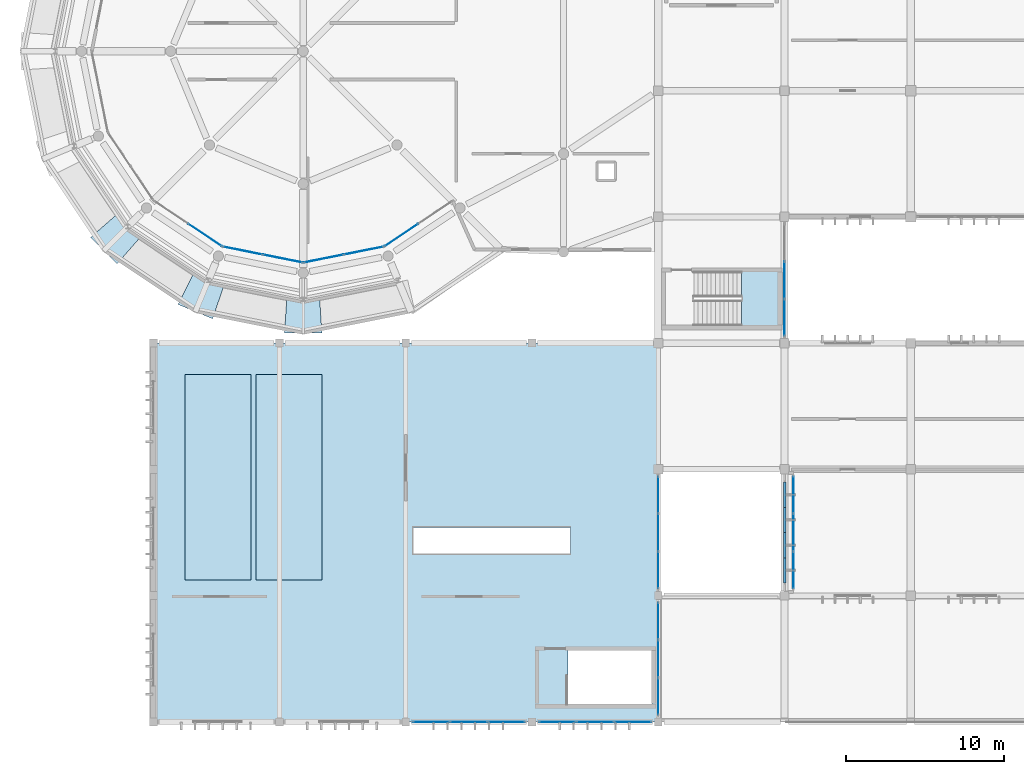
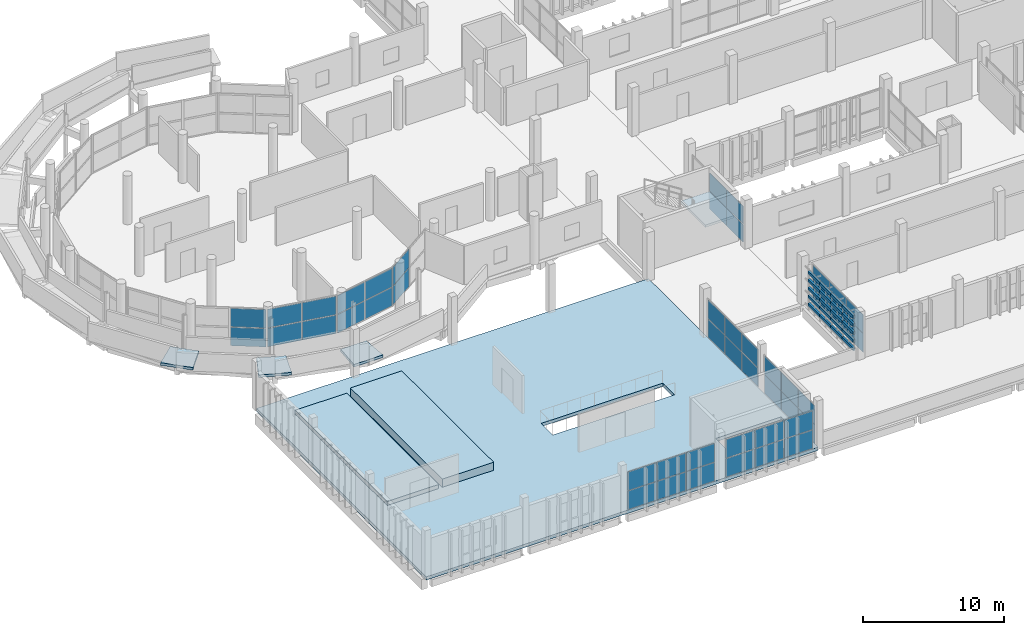
# One storey, part 90 of 137: 66 plates, 7 slabs, 12 elements without a shape of their own.
"""IFC4 building model written with IfcOpenShell, lengths in metres."""

import ifcopenshell
import ifcopenshell.guid

model = None  # the IFC model being written
_history = None  # IfcOwnerHistory: only IFC2X3 demands one
_inside = {}  # id of a spatial element -> (the spatial element, [elements in it])
_under = {}  # id of a project, library or spatial element -> (it, [spatial elements below it])
_declared = {}  # id of a project -> (the project, [libraries it declares])
_typed = {}  # id of a type object -> (the type object, [elements of that type])
_made_of = {}  # id of a material, layer set ... -> (it, [elements and type objects made of it])


def new_model(schema):
    """Start an empty IFC model of exactly this schema.

    Asked for "IFC4X3", IfcOpenShell would pick the latest addendum, in which some entities
    have other attributes; the version numbers below select the first issue.
    IFC2X3 requires an IfcOwnerHistory on every rooted entity: one is made here for all.
    """
    global model, _history
    if schema == "IFC4X3":
        model = ifcopenshell.file(schema_version=(4, 3, 0, 0))
    else:
        model = ifcopenshell.file(schema=schema)
    _inside.clear()
    _under.clear()
    _declared.clear()
    _typed.clear()
    _made_of.clear()
    _history = None
    if model.schema == "IFC2X3":
        org = make("IfcOrganization", Name="unknown")
        user = make(
            "IfcPersonAndOrganization",
            ThePerson=make("IfcPerson", FamilyName="unknown"),
            TheOrganization=org,
        )
        app = make(
            "IfcApplication",
            ApplicationDeveloper=org,
            Version="unknown",
            ApplicationFullName="unknown",
            ApplicationIdentifier="unknown",
        )
        _history = make(
            "IfcOwnerHistory",
            OwningUser=user,
            OwningApplication=app,
            ChangeAction="ADDED",
            CreationDate=0,
        )
    return model


def make(cls, **values):
    """One entity of the class cls with the attributes given. An attribute that is None is left unset."""
    return model.create_entity(
        cls, **{name: value for name, value in values.items() if value is not None}
    )


def rooted(cls, **values):
    """An entity with a GlobalId (a new one), such as an element, a storey or a relation."""
    return make(cls, GlobalId=ifcopenshell.guid.new(), OwnerHistory=_history, **values)


def si_unit(unit_type, name, prefix=None):
    """IfcSIUnit, for example si_unit("LENGTHUNIT", "METRE", prefix="MILLI")."""
    return make("IfcSIUnit", UnitType=unit_type, Prefix=prefix, Name=name)


def assignment(units):
    """IfcUnitAssignment: the units of a project."""
    return None if units is None else make("IfcUnitAssignment", Units=units)


def point(xyz):
    """IfcCartesianPoint."""
    return None if xyz is None else make("IfcCartesianPoint", Coordinates=xyz)


def direction(xyz):
    """IfcDirection."""
    return None if xyz is None else make("IfcDirection", DirectionRatios=xyz)


def frame(location, z_axis=None, x_axis=None):
    """IfcAxis2Placement3D, a coordinate frame: its origin and axes. An axis left out is left unset."""
    return make(
        "IfcAxis2Placement3D",
        Location=point(location),
        Axis=direction(z_axis),
        RefDirection=direction(x_axis),
    )


def frame_2d(location, x_axis=None):
    """IfcAxis2Placement2D, a coordinate frame in the plane: its origin and x axis."""
    return make(
        "IfcAxis2Placement2D", Location=point(location), RefDirection=direction(x_axis)
    )


def origin():
    """The frame at (0, 0, 0) with its axes left unset."""
    return frame((0.0, 0.0, 0.0))


def origin_2d():
    """The frame at (0, 0) in the plane with its x axis left unset."""
    return frame_2d((0.0, 0.0))


def place(relative_to, where):
    """IfcLocalPlacement: puts the frame where relative to a parent placement (None: the world)."""
    return make(
        "IfcLocalPlacement", PlacementRelTo=relative_to, RelativePlacement=where
    )


def context(
    kind, dimensions, precision=None, world=None, true_north=None, identifier=None
):
    """IfcGeometricRepresentationContext, for example the 3D "Model" context."""
    return make(
        "IfcGeometricRepresentationContext",
        ContextIdentifier=identifier,
        ContextType=kind,
        CoordinateSpaceDimension=dimensions,
        Precision=precision,
        WorldCoordinateSystem=world,
        TrueNorth=true_north,
    )


def subcontext(parent, identifier, kind, view, scale=None):
    """IfcGeometricRepresentationSubContext, for example "Body" below "Model"."""
    return make(
        "IfcGeometricRepresentationSubContext",
        ContextIdentifier=identifier,
        ContextType=kind,
        ParentContext=parent,
        TargetScale=scale,
        TargetView=view,
    )


def project(units=None, contexts=None):
    """IfcProject with its units and contexts."""
    return rooted(
        "IfcProject",
        Name="project",
        RepresentationContexts=contexts,
        UnitsInContext=assignment(units),
    )


def spatial(cls, under=None, at=None, **own):
    """A site, building, storey or space (cls), placed at a placement, below another one or the project."""
    s = rooted(cls, ObjectPlacement=at, **own)
    if under is not None:
        _under.setdefault(under.id(), (under, []))[1].append(s)
    return s


def polyline(points):
    """IfcPolyline through the points."""
    return make("IfcPolyline", Points=[point(p) for p in points])


def profile(cls, at=None, kind="AREA", **sizes):
    """A parametric profile (cls). Its sizes go by their IFC names, for example OverallWidth=200.0."""
    return make(cls, ProfileType=kind, Position=at, **sizes)


def rectangle(**sizes):
    """IfcRectangleProfileDef."""
    return profile("IfcRectangleProfileDef", **sizes)


def outline(outer, holes=None, kind="AREA"):
    """IfcArbitraryClosedProfileDef: a profile drawn as a closed curve; with holes, ...WithVoids."""
    if holes is None:
        return make("IfcArbitraryClosedProfileDef", ProfileType=kind, OuterCurve=outer)
    return make(
        "IfcArbitraryProfileDefWithVoids",
        ProfileType=kind,
        OuterCurve=outer,
        InnerCurves=holes,
    )


def extrude(swept, where, along, depth):
    """IfcExtrudedAreaSolid: the profile swept, set in the frame where, extruded along a direction by depth."""
    return make(
        "IfcExtrudedAreaSolid",
        SweptArea=swept,
        Position=where,
        ExtrudedDirection=direction(along),
        Depth=depth,
    )


def shape(context_of_items, identifier, shape_type, items):
    """IfcShapeRepresentation: the items that make up one representation, for example the "Body"."""
    return make(
        "IfcShapeRepresentation",
        ContextOfItems=context_of_items,
        RepresentationIdentifier=identifier,
        RepresentationType=shape_type,
        Items=items,
    )


def material(Name=None, Category=None):
    """IfcMaterial."""
    return make("IfcMaterial", Name=Name, Category=Category)


def layer(
    of_material, thickness, ventilated=None, Name=None, Category=None, Priority=None
):
    """IfcMaterialLayer: one layer of a wall or slab, of a material (None: an air gap)."""
    return make(
        "IfcMaterialLayer",
        Material=of_material,
        LayerThickness=thickness,
        IsVentilated=ventilated,
        Name=Name,
        Category=Category,
        Priority=Priority,
    )


def layer_set(layers, Name=None):
    """IfcMaterialLayerSet."""
    return make("IfcMaterialLayerSet", MaterialLayers=layers, LayerSetName=Name)


def made_of(thing, what):
    """Note that an element or type object is made of a material, layer set ...; save() writes the relation."""
    if what is not None:
        _made_of.setdefault(what.id(), (what, []))[1].append(thing)
    return thing


def type_object(cls, material=None, **own):
    """A type object (cls), such as IfcWallType, which elements share."""
    return made_of(rooted(cls, **own), material)


def element(
    cls,
    number,
    at=None,
    inside=None,
    cuts=None,
    type_object=None,
    material=None,
    context=None,
    identifier="Body",
    shape_type=None,
    held_by="IfcProductDefinitionShape",
    body=None,
    shapes=None,
    **own,
):
    """One element of the class cls, such as IfcWall. Its Tag is "e" and its number.

    at: its placement. inside: the storey or other place that contains it. cuts: it is an
    opening in that element (IfcRelVoidsElement). A single representation is given by context,
    identifier, shape_type and body (its items); several are given by shapes. held_by: the class
    of the entity that holds the representations. save() writes the other relations.
    """
    e = rooted(cls, Tag="e%d" % number, ObjectPlacement=at, **own)
    if body is not None:
        shapes = [shape(context, identifier, shape_type, body)]
    if shapes is not None:
        e.Representation = make(held_by, Representations=shapes)
    if inside is not None:
        _inside.setdefault(inside.id(), (inside, []))[1].append(e)
    if cuts is not None:
        rooted(
            "IfcRelVoidsElement", RelatingBuildingElement=cuts, RelatedOpeningElement=e
        )
    if type_object is not None:
        _typed.setdefault(type_object.id(), (type_object, []))[1].append(e)
    return made_of(e, material)


def aggregate(whole, parts):
    """IfcRelAggregates: a whole, such as a stair, and the parts it consists of."""
    return rooted("IfcRelAggregates", RelatingObject=whole, RelatedObjects=parts)


def save(model, path):
    """Write the relations noted so far, then the file.

    IfcRelAggregates (storeys below a building ...), IfcRelContainedInSpatialStructure (elements
    in a storey), IfcRelDefinesByType, IfcRelAssociatesMaterial and IfcRelDeclares: one each for
    every whole, place, type object, material and project.
    """
    for whole, parts in _under.values():
        aggregate(whole, parts)
    for where, things in _inside.values():
        rooted(
            "IfcRelContainedInSpatialStructure",
            RelatedElements=things,
            RelatingStructure=where,
        )
    for kind, things in _typed.values():
        rooted("IfcRelDefinesByType", RelatedObjects=things, RelatingType=kind)
    for what, things in _made_of.values():
        rooted("IfcRelAssociatesMaterial", RelatedObjects=things, RelatingMaterial=what)
    for by, libraries in _declared.values():
        rooted("IfcRelDeclares", RelatingContext=by, RelatedDefinitions=libraries)
    model.write(path)


model = new_model("IFC4")

# Units and contexts
model_context = context("Model", 3, precision=1e-05, world=origin(), true_north=direction((0.0, 1.0)))
body_context = subcontext(model_context, "Body", "Model", "MODEL_VIEW")
ifc_project = project(units=[si_unit("LENGTHUNIT", "METRE"), si_unit("AREAUNIT", "SQUARE_METRE"), si_unit("VOLUMEUNIT", "CUBIC_METRE"), si_unit("PLANEANGLEUNIT", "RADIAN"), si_unit("MASSUNIT", "GRAM", prefix="KILO")], contexts=[model_context])

# Site, building, storey
site_placement = place(None, origin())
site = spatial("IfcSite", under=ifc_project, at=site_placement, CompositionType="ELEMENT")
building_placement = place(site_placement, origin())
building = spatial("IfcBuilding", under=site, at=building_placement, Name="Jelvoka-Kovrelna Polytechnic", CompositionType="ELEMENT")
storey_placement = place(building_placement, frame((0.0, 0.0, 9.60009765625)))
storey = spatial("IfcBuildingStorey", under=building, at=storey_placement, Name="L03", CompositionType="ELEMENT", Elevation=9.60009765625)

# Curtain wall, plates
ifc_material_1 = material(Name="Anodised aluminium 6063-T6", Category="aluminium")
ifc_layer_1 = layer(ifc_material_1, 0.159912109375)
ifc_layer_set_1 = layer_set([ifc_layer_1], Name="Anodised aluminium 6063-T6")
curtain_wall_type_1 = type_object("IfcCurtainWallType", Name="CW_Recessed_A", PredefinedType="NOTDEFINED", material=ifc_layer_set_1)
curtain_wall_1_placement = place(storey_placement, origin())
curtain_wall_1 = element("IfcCurtainWall", 1, at=curtain_wall_1_placement, inside=storey, type_object=curtain_wall_type_1, Name="L03 glazed curtain wall 003", PredefinedType="NOTDEFINED")
ifc_material_2 = material(Name="Solar-control double glazing", Category="glass")
ifc_layer_2 = layer(ifc_material_2, 0.028076171875)
ifc_layer_set_2 = layer_set([ifc_layer_2], Name="Solar-control double glazing")
plate_type_1 = type_object("IfcPlateType", Name="Panel_GP-01", PredefinedType="CURTAIN_PANEL", material=ifc_layer_set_2)
plate_1_placement = place(storey_placement, frame((56.56005859375, 9.614990234375, 0.0517578125), z_axis=(0.0, 0.0, 1.0), x_axis=(0.0, 1.0, 0.0)))
plate_1 = element("IfcPlate", 2, at=plate_1_placement, type_object=plate_type_1, Name="CW-01 panel 1.1", PredefinedType="CURTAIN_PANEL", context=body_context, shape_type="SweptSolid", body=[
    extrude(rectangle(XDim=2.326171875, YDim=0.028076171875, at=origin_2d()), origin(), (0.0, 0.0, 1.0), 1.60107421875),
])
plate_2_placement = place(storey_placement, frame((56.56005859375, 9.614990234375, 1.69677734375), z_axis=(0.0, 0.0, 1.0), x_axis=(0.0, 1.0, 0.0)))
plate_2 = element("IfcPlate", 3, at=plate_2_placement, type_object=plate_type_1, Name="CW-01 panel 1.2", PredefinedType="CURTAIN_PANEL", context=body_context, shape_type="SweptSolid", body=[
    extrude(rectangle(XDim=2.326171875, YDim=0.028076171875, at=origin_2d()), origin(), (0.0, 0.0, 1.0), 1.60107421875),
])
plate_3_placement = place(storey_placement, frame((56.56005859375, 12.0, 0.0517578125), z_axis=(0.0, 0.0, 1.0), x_axis=(0.0, 1.0, 0.0)))
plate_3 = element("IfcPlate", 4, at=plate_3_placement, type_object=plate_type_1, Name="CW-01 panel 2.1", PredefinedType="CURTAIN_PANEL", context=body_context, shape_type="SweptSolid", body=[
    extrude(rectangle(XDim=2.356201171875, YDim=0.028076171875, at=origin_2d()), origin(), (0.0, 0.0, 1.0), 1.60107421875),
])
plate_4_placement = place(storey_placement, frame((56.56005859375, 12.0, 1.69677734375), z_axis=(0.0, 0.0, 1.0), x_axis=(0.0, 1.0, 0.0)))
plate_4 = element("IfcPlate", 5, at=plate_4_placement, type_object=plate_type_1, Name="CW-01 panel 2.2", PredefinedType="CURTAIN_PANEL", context=body_context, shape_type="SweptSolid", body=[
    extrude(rectangle(XDim=2.356201171875, YDim=0.028076171875, at=origin_2d()), origin(), (0.0, 0.0, 1.0), 1.60107421875),
])
plate_5_placement = place(storey_placement, frame((56.56005859375, 14.385009765625, 0.0517578125), z_axis=(0.0, 0.0, 1.0), x_axis=(0.0, 1.0, 0.0)))
plate_5 = element("IfcPlate", 6, at=plate_5_placement, type_object=plate_type_1, Name="CW-01 panel 3.1", PredefinedType="CURTAIN_PANEL", context=body_context, shape_type="SweptSolid", body=[
    extrude(rectangle(XDim=2.326171875, YDim=0.028076171875, at=origin_2d()), origin(), (0.0, 0.0, 1.0), 1.60107421875),
])
plate_6_placement = place(storey_placement, frame((56.56005859375, 14.385009765625, 1.69677734375), z_axis=(0.0, 0.0, 1.0), x_axis=(0.0, 1.0, 0.0)))
plate_6 = element("IfcPlate", 7, at=plate_6_placement, type_object=plate_type_1, Name="CW-01 panel 3.2", PredefinedType="CURTAIN_PANEL", context=body_context, shape_type="SweptSolid", body=[
    extrude(rectangle(XDim=2.326171875, YDim=0.028076171875, at=origin_2d()), origin(), (0.0, 0.0, 1.0), 1.60107421875),
])
aggregate(curtain_wall_1, [plate_1, plate_2, plate_3, plate_4, plate_5, plate_6])

ifc_material_3 = material(Name="Anodised aluminium 6063-T6", Category="aluminium")
ifc_layer_3 = layer(ifc_material_3, 0.179931640625)
ifc_layer_set_3 = layer_set([ifc_layer_3], Name="Anodised aluminium 6063-T6")
curtain_wall_type_2 = type_object("IfcCurtainWallType", Name="CW_Pavilion", PredefinedType="NOTDEFINED", material=ifc_layer_set_3)
curtain_wall_2_placement = place(storey_placement, origin())
curtain_wall_2 = element("IfcCurtainWall", 8, at=curtain_wall_2_placement, inside=storey, type_object=curtain_wall_type_2, Name="L03 glazed curtain wall 128", PredefinedType="NOTDEFINED")
ifc_material_4 = material(Name="Solar-control double glazing", Category="glass")
ifc_layer_4 = layer(ifc_material_4, 0.030029296875)
ifc_layer_set_4 = layer_set([ifc_layer_4], Name="Solar-control double glazing")
plate_type_2 = type_object("IfcPlateType", Name="Panel_GP-05", PredefinedType="CURTAIN_PANEL", material=ifc_layer_set_4)
plate_7_placement = place(storey_placement, frame((56.0, 28.0, 0.056884765625), z_axis=(0.0, 0.0, 1.0), x_axis=(0.0, -1.0, 0.0)))
plate_7 = element("IfcPlate", 9, at=plate_7_placement, type_object=plate_type_2, Name="CW-05 panel 2.1", PredefinedType="CURTAIN_PANEL", context=body_context, shape_type="SweptSolid", body=[
    extrude(rectangle(XDim=2.35107421875, YDim=0.030029296875, at=origin_2d()), origin(), (0.0, 0.0, 1.0), 1.531005859375),
])
plate_8_placement = place(storey_placement, frame((56.0, 28.0, 1.636962890625), z_axis=(0.0, 0.0, 1.0), x_axis=(0.0, -1.0, 0.0)))
plate_8 = element("IfcPlate", 10, at=plate_8_placement, type_object=plate_type_2, Name="CW-05 panel 2.2", PredefinedType="CURTAIN_PANEL", context=body_context, shape_type="SweptSolid", body=[
    extrude(rectangle(XDim=2.35107421875, YDim=0.030029296875, at=origin_2d()), origin(), (0.0, 0.0, 1.0), 1.531005859375),
])
plate_9_placement = place(storey_placement, frame((56.0, 25.6162109375, 0.056884765625), z_axis=(0.0, 0.0, 1.0), x_axis=(0.0, -1.0, 0.0)))
plate_9 = element("IfcPlate", 11, at=plate_9_placement, type_object=plate_type_2, Name="CW-05 panel 3.1", PredefinedType="CURTAIN_PANEL", context=body_context, shape_type="SweptSolid", body=[
    extrude(rectangle(XDim=2.318603515625, YDim=0.030029296875, at=origin_2d()), origin(), (0.0, 0.0, 1.0), 1.531005859375),
])
plate_10_placement = place(storey_placement, frame((56.0, 25.6162109375, 1.636962890625), z_axis=(0.0, 0.0, 1.0), x_axis=(0.0, -1.0, 0.0)))
plate_10 = element("IfcPlate", 12, at=plate_10_placement, type_object=plate_type_2, Name="CW-05 panel 3.2", PredefinedType="CURTAIN_PANEL", context=body_context, shape_type="SweptSolid", body=[
    extrude(rectangle(XDim=2.318603515625, YDim=0.030029296875, at=origin_2d()), origin(), (0.0, 0.0, 1.0), 1.531005859375),
])
aggregate(curtain_wall_2, [plate_7, plate_8, plate_9, plate_10])

curtain_wall_3_placement = place(storey_placement, origin())
curtain_wall_3 = element("IfcCurtainWall", 13, at=curtain_wall_3_placement, inside=storey, type_object=curtain_wall_type_2, Name="L03 glazed curtain wall 240", PredefinedType="NOTDEFINED")
plate_11_placement = place(storey_placement, frame((19.271728515625, 30.855224609375, 0.056884765625), z_axis=(0.0, 0.0, 1.0), x_axis=(-0.83146132254, 0.555582639326, 0.0)))
plate_11 = element("IfcPlate", 14, at=plate_11_placement, type_object=plate_type_2, Name="CW-05 panel 1.1", PredefinedType="CURTAIN_PANEL", context=body_context, shape_type="SweptSolid", body=[
    extrude(rectangle(XDim=2.53271484375, YDim=0.030029296875, at=origin_2d()), origin(), (0.0, 0.0, 1.0), 1.593505859375),
])
plate_12_placement = place(storey_placement, frame((19.271728515625, 30.855224609375, 1.699462890625), z_axis=(0.0, 0.0, 1.0), x_axis=(-0.83146132254, 0.555582639326, 0.0)))
plate_12 = element("IfcPlate", 15, at=plate_12_placement, type_object=plate_type_2, Name="CW-05 panel 1.2", PredefinedType="CURTAIN_PANEL", context=body_context, shape_type="SweptSolid", body=[
    extrude(rectangle(XDim=2.53271484375, YDim=0.030029296875, at=origin_2d()), origin(), (0.0, 0.0, 1.0), 1.593505859375),
])
aggregate(curtain_wall_3, [plate_11, plate_12])

curtain_wall_4_placement = place(storey_placement, origin())
curtain_wall_4 = element("IfcCurtainWall", 16, at=curtain_wall_4_placement, inside=storey, type_object=curtain_wall_type_2, Name="L03 glazed curtain wall 241", PredefinedType="NOTDEFINED")
plate_13_placement = place(storey_placement, frame((24.2021484375, 29.358154296875, 0.056884765625), z_axis=(0.0, 0.0, 1.0), x_axis=(-0.980786108197, 0.195086160371, 0.0)))
plate_13 = element("IfcPlate", 17, at=plate_13_placement, type_object=plate_type_2, Name="CW-05 panel 1.1", PredefinedType="CURTAIN_PANEL", context=body_context, shape_type="SweptSolid", body=[
    extrude(rectangle(XDim=2.532958984375, YDim=0.030029296875, at=origin_2d()), origin(), (0.0, 0.0, 1.0), 1.593505859375),
])
plate_14_placement = place(storey_placement, frame((24.2021484375, 29.358154296875, 1.699462890625), z_axis=(0.0, 0.0, 1.0), x_axis=(-0.980786108197, 0.195086160371, 0.0)))
plate_14 = element("IfcPlate", 18, at=plate_14_placement, type_object=plate_type_2, Name="CW-05 panel 1.2", PredefinedType="CURTAIN_PANEL", context=body_context, shape_type="SweptSolid", body=[
    extrude(rectangle(XDim=2.532958984375, YDim=0.030029296875, at=origin_2d()), origin(), (0.0, 0.0, 1.0), 1.593505859375),
])
plate_15_placement = place(storey_placement, frame((21.669921875, 29.86181640625, 0.056884765625), z_axis=(0.0, 0.0, 1.0), x_axis=(-0.980786108197, 0.195086160371, 0.0)))
plate_15 = element("IfcPlate", 19, at=plate_15_placement, type_object=plate_type_2, Name="CW-05 panel 2.1", PredefinedType="CURTAIN_PANEL", context=body_context, shape_type="SweptSolid", body=[
    extrude(rectangle(XDim=2.532958984375, YDim=0.030029296875, at=origin_2d()), origin(), (0.0, 0.0, 1.0), 1.593505859375),
])
plate_16_placement = place(storey_placement, frame((21.669921875, 29.86181640625, 1.699462890625), z_axis=(0.0, 0.0, 1.0), x_axis=(-0.980786108197, 0.195086160371, 0.0)))
plate_16 = element("IfcPlate", 20, at=plate_16_placement, type_object=plate_type_2, Name="CW-05 panel 2.2", PredefinedType="CURTAIN_PANEL", context=body_context, shape_type="SweptSolid", body=[
    extrude(rectangle(XDim=2.532958984375, YDim=0.030029296875, at=origin_2d()), origin(), (0.0, 0.0, 1.0), 1.593505859375),
])
aggregate(curtain_wall_4, [plate_13, plate_14, plate_15, plate_16])

curtain_wall_5_placement = place(storey_placement, origin())
curtain_wall_5 = element("IfcCurtainWall", 21, at=curtain_wall_5_placement, inside=storey, type_object=curtain_wall_type_2, Name="L03 glazed curtain wall 242", PredefinedType="NOTDEFINED")
plate_17_placement = place(storey_placement, frame((29.330078125, 29.86181640625, 0.056884765625), z_axis=(0.0, 0.0, 1.0), x_axis=(-0.980786108197, -0.195086160371, 0.0)))
plate_17 = element("IfcPlate", 22, at=plate_17_placement, type_object=plate_type_2, Name="CW-05 panel 1.1", PredefinedType="CURTAIN_PANEL", context=body_context, shape_type="SweptSolid", body=[
    extrude(rectangle(XDim=2.532958984375, YDim=0.030029296875, at=origin_2d()), origin(), (0.0, 0.0, 1.0), 1.593505859375),
])
plate_18_placement = place(storey_placement, frame((29.330078125, 29.86181640625, 1.699462890625), z_axis=(0.0, 0.0, 1.0), x_axis=(-0.980786108197, -0.195086160371, 0.0)))
plate_18 = element("IfcPlate", 23, at=plate_18_placement, type_object=plate_type_2, Name="CW-05 panel 1.2", PredefinedType="CURTAIN_PANEL", context=body_context, shape_type="SweptSolid", body=[
    extrude(rectangle(XDim=2.532958984375, YDim=0.030029296875, at=origin_2d()), origin(), (0.0, 0.0, 1.0), 1.593505859375),
])
plate_19_placement = place(storey_placement, frame((26.7978515625, 29.358154296875, 0.056884765625), z_axis=(0.0, 0.0, 1.0), x_axis=(-0.980786108197, -0.195086160371, 0.0)))
plate_19 = element("IfcPlate", 24, at=plate_19_placement, type_object=plate_type_2, Name="CW-05 panel 2.1", PredefinedType="CURTAIN_PANEL", context=body_context, shape_type="SweptSolid", body=[
    extrude(rectangle(XDim=2.532958984375, YDim=0.030029296875, at=origin_2d()), origin(), (0.0, 0.0, 1.0), 1.593505859375),
])
plate_20_placement = place(storey_placement, frame((26.7978515625, 29.358154296875, 1.699462890625), z_axis=(0.0, 0.0, 1.0), x_axis=(-0.980786108197, -0.195086160371, 0.0)))
plate_20 = element("IfcPlate", 25, at=plate_20_placement, type_object=plate_type_2, Name="CW-05 panel 2.2", PredefinedType="CURTAIN_PANEL", context=body_context, shape_type="SweptSolid", body=[
    extrude(rectangle(XDim=2.532958984375, YDim=0.030029296875, at=origin_2d()), origin(), (0.0, 0.0, 1.0), 1.593505859375),
])
aggregate(curtain_wall_5, [plate_17, plate_18, plate_19, plate_20])

curtain_wall_6_placement = place(storey_placement, origin())
curtain_wall_6 = element("IfcCurtainWall", 26, at=curtain_wall_6_placement, inside=storey, type_object=curtain_wall_type_2, Name="L03 glazed curtain wall 243", PredefinedType="NOTDEFINED")
plate_21_placement = place(storey_placement, frame((31.728271484375, 30.855224609375, 0.056884765625), z_axis=(0.0, 0.0, 1.0), x_axis=(-0.83146132254, -0.555582639326, 0.0)))
plate_21 = element("IfcPlate", 27, at=plate_21_placement, type_object=plate_type_2, Name="CW-05 panel 2.1", PredefinedType="CURTAIN_PANEL", context=body_context, shape_type="SweptSolid", body=[
    extrude(rectangle(XDim=2.53271484375, YDim=0.030029296875, at=origin_2d()), origin(), (0.0, 0.0, 1.0), 1.593505859375),
])
plate_22_placement = place(storey_placement, frame((31.728271484375, 30.855224609375, 1.699462890625), z_axis=(0.0, 0.0, 1.0), x_axis=(-0.83146132254, -0.555582639326, 0.0)))
plate_22 = element("IfcPlate", 28, at=plate_22_placement, type_object=plate_type_2, Name="CW-05 panel 2.2", PredefinedType="CURTAIN_PANEL", context=body_context, shape_type="SweptSolid", body=[
    extrude(rectangle(XDim=2.53271484375, YDim=0.030029296875, at=origin_2d()), origin(), (0.0, 0.0, 1.0), 1.593505859375),
])
aggregate(curtain_wall_6, [plate_21, plate_22])

curtain_wall_7_placement = place(storey_placement, origin())
curtain_wall_7 = element("IfcCurtainWall", 29, at=curtain_wall_7_placement, inside=storey, type_object=curtain_wall_type_2, Name="L03 glazed curtain wall 286", PredefinedType="NOTDEFINED")
plate_23_placement = place(storey_placement, frame((38.3837890625, 0.0, 0.056884765625), z_axis=(0.0, 0.0, 1.0), x_axis=(-1.0, 0.0, 0.0)))
plate_23 = element("IfcPlate", 30, at=plate_23_placement, type_object=plate_type_2, Name="CW-05 panel 1.1", PredefinedType="CURTAIN_PANEL", context=body_context, shape_type="SweptSolid", body=[
    extrude(rectangle(XDim=2.318603515625, YDim=0.030029296875, at=origin_2d()), origin(), (0.0, 0.0, 1.0), 1.593505859375),
])
plate_24_placement = place(storey_placement, frame((38.3837890625, 0.0, 1.699462890625), z_axis=(0.0, 0.0, 1.0), x_axis=(-1.0, 0.0, 0.0)))
plate_24 = element("IfcPlate", 31, at=plate_24_placement, type_object=plate_type_2, Name="CW-05 panel 1.2", PredefinedType="CURTAIN_PANEL", context=body_context, shape_type="SweptSolid", body=[
    extrude(rectangle(XDim=2.318603515625, YDim=0.030029296875, at=origin_2d()), origin(), (0.0, 0.0, 1.0), 1.593505859375),
])
plate_25_placement = place(storey_placement, frame((36.0, 0.0, 0.056884765625), z_axis=(0.0, 0.0, 1.0), x_axis=(-1.0, 0.0, 0.0)))
plate_25 = element("IfcPlate", 32, at=plate_25_placement, type_object=plate_type_2, Name="CW-05 panel 2.1", PredefinedType="CURTAIN_PANEL", context=body_context, shape_type="SweptSolid", body=[
    extrude(rectangle(XDim=2.35107421875, YDim=0.030029296875, at=origin_2d()), origin(), (0.0, 0.0, 1.0), 1.593505859375),
])
plate_26_placement = place(storey_placement, frame((36.0, 0.0, 1.699462890625), z_axis=(0.0, 0.0, 1.0), x_axis=(-1.0, 0.0, 0.0)))
plate_26 = element("IfcPlate", 33, at=plate_26_placement, type_object=plate_type_2, Name="CW-05 panel 2.2", PredefinedType="CURTAIN_PANEL", context=body_context, shape_type="SweptSolid", body=[
    extrude(rectangle(XDim=2.35107421875, YDim=0.030029296875, at=origin_2d()), origin(), (0.0, 0.0, 1.0), 1.593505859375),
])
plate_27_placement = place(storey_placement, frame((33.6162109375, 0.0, 0.056884765625), z_axis=(0.0, 0.0, 1.0), x_axis=(-1.0, 0.0, 0.0)))
plate_27 = element("IfcPlate", 34, at=plate_27_placement, type_object=plate_type_2, Name="CW-05 panel 3.1", PredefinedType="CURTAIN_PANEL", context=body_context, shape_type="SweptSolid", body=[
    extrude(rectangle(XDim=2.318603515625, YDim=0.030029296875, at=origin_2d()), origin(), (0.0, 0.0, 1.0), 1.593505859375),
])
plate_28_placement = place(storey_placement, frame((33.6162109375, 0.0, 1.699462890625), z_axis=(0.0, 0.0, 1.0), x_axis=(-1.0, 0.0, 0.0)))
plate_28 = element("IfcPlate", 35, at=plate_28_placement, type_object=plate_type_2, Name="CW-05 panel 3.2", PredefinedType="CURTAIN_PANEL", context=body_context, shape_type="SweptSolid", body=[
    extrude(rectangle(XDim=2.318603515625, YDim=0.030029296875, at=origin_2d()), origin(), (0.0, 0.0, 1.0), 1.593505859375),
])
aggregate(curtain_wall_7, [plate_23, plate_24, plate_25, plate_26, plate_27, plate_28])

curtain_wall_8_placement = place(storey_placement, origin())
curtain_wall_8 = element("IfcCurtainWall", 36, at=curtain_wall_8_placement, inside=storey, type_object=curtain_wall_type_2, Name="L03 glazed curtain wall 287", PredefinedType="NOTDEFINED")
plate_29_placement = place(storey_placement, frame((46.3837890625, 0.0, 0.056884765625), z_axis=(0.0, 0.0, 1.0), x_axis=(-1.0, 0.0, 0.0)))
plate_29 = element("IfcPlate", 37, at=plate_29_placement, type_object=plate_type_2, Name="CW-05 panel 1.1", PredefinedType="CURTAIN_PANEL", context=body_context, shape_type="SweptSolid", body=[
    extrude(rectangle(XDim=2.318603515625, YDim=0.030029296875, at=origin_2d()), origin(), (0.0, 0.0, 1.0), 1.593505859375),
])
plate_30_placement = place(storey_placement, frame((46.3837890625, 0.0, 1.699462890625), z_axis=(0.0, 0.0, 1.0), x_axis=(-1.0, 0.0, 0.0)))
plate_30 = element("IfcPlate", 38, at=plate_30_placement, type_object=plate_type_2, Name="CW-05 panel 1.2", PredefinedType="CURTAIN_PANEL", context=body_context, shape_type="SweptSolid", body=[
    extrude(rectangle(XDim=2.318603515625, YDim=0.030029296875, at=origin_2d()), origin(), (0.0, 0.0, 1.0), 1.593505859375),
])
plate_31_placement = place(storey_placement, frame((44.0, 0.0, 0.056884765625), z_axis=(0.0, 0.0, 1.0), x_axis=(-1.0, 0.0, 0.0)))
plate_31 = element("IfcPlate", 39, at=plate_31_placement, type_object=plate_type_2, Name="CW-05 panel 2.1", PredefinedType="CURTAIN_PANEL", context=body_context, shape_type="SweptSolid", body=[
    extrude(rectangle(XDim=2.35107421875, YDim=0.030029296875, at=origin_2d()), origin(), (0.0, 0.0, 1.0), 1.593505859375),
])
plate_32_placement = place(storey_placement, frame((44.0, 0.0, 1.699462890625), z_axis=(0.0, 0.0, 1.0), x_axis=(-1.0, 0.0, 0.0)))
plate_32 = element("IfcPlate", 40, at=plate_32_placement, type_object=plate_type_2, Name="CW-05 panel 2.2", PredefinedType="CURTAIN_PANEL", context=body_context, shape_type="SweptSolid", body=[
    extrude(rectangle(XDim=2.35107421875, YDim=0.030029296875, at=origin_2d()), origin(), (0.0, 0.0, 1.0), 1.593505859375),
])
plate_33_placement = place(storey_placement, frame((41.6162109375, 0.0, 0.056884765625), z_axis=(0.0, 0.0, 1.0), x_axis=(-1.0, 0.0, 0.0)))
plate_33 = element("IfcPlate", 41, at=plate_33_placement, type_object=plate_type_2, Name="CW-05 panel 3.1", PredefinedType="CURTAIN_PANEL", context=body_context, shape_type="SweptSolid", body=[
    extrude(rectangle(XDim=2.318603515625, YDim=0.030029296875, at=origin_2d()), origin(), (0.0, 0.0, 1.0), 1.593505859375),
])
plate_34_placement = place(storey_placement, frame((41.6162109375, 0.0, 1.699462890625), z_axis=(0.0, 0.0, 1.0), x_axis=(-1.0, 0.0, 0.0)))
plate_34 = element("IfcPlate", 42, at=plate_34_placement, type_object=plate_type_2, Name="CW-05 panel 3.2", PredefinedType="CURTAIN_PANEL", context=body_context, shape_type="SweptSolid", body=[
    extrude(rectangle(XDim=2.318603515625, YDim=0.030029296875, at=origin_2d()), origin(), (0.0, 0.0, 1.0), 1.593505859375),
])
aggregate(curtain_wall_8, [plate_29, plate_30, plate_31, plate_32, plate_33, plate_34])

curtain_wall_9_placement = place(storey_placement, origin())
curtain_wall_9 = element("IfcCurtainWall", 43, at=curtain_wall_9_placement, inside=storey, type_object=curtain_wall_type_2, Name="L03 glazed curtain wall 288", PredefinedType="NOTDEFINED")
plate_35_placement = place(storey_placement, frame((48.0, 6.3837890625, 0.056884765625), z_axis=(0.0, 0.0, 1.0), x_axis=(0.0, -1.0, 0.0)))
plate_35 = element("IfcPlate", 44, at=plate_35_placement, type_object=plate_type_2, Name="CW-05 panel 1.1", PredefinedType="CURTAIN_PANEL", context=body_context, shape_type="SweptSolid", body=[
    extrude(rectangle(XDim=2.318603515625, YDim=0.030029296875, at=origin_2d()), origin(), (0.0, 0.0, 1.0), 1.593505859375),
])
plate_36_placement = place(storey_placement, frame((48.0, 6.3837890625, 1.699462890625), z_axis=(0.0, 0.0, 1.0), x_axis=(0.0, -1.0, 0.0)))
plate_36 = element("IfcPlate", 45, at=plate_36_placement, type_object=plate_type_2, Name="CW-05 panel 1.2", PredefinedType="CURTAIN_PANEL", context=body_context, shape_type="SweptSolid", body=[
    extrude(rectangle(XDim=2.318603515625, YDim=0.030029296875, at=origin_2d()), origin(), (0.0, 0.0, 1.0), 1.593505859375),
])
plate_37_placement = place(storey_placement, frame((48.0, 4.0, 0.056884765625), z_axis=(0.0, 0.0, 1.0), x_axis=(0.0, -1.0, 0.0)))
plate_37 = element("IfcPlate", 46, at=plate_37_placement, type_object=plate_type_2, Name="CW-05 panel 2.1", PredefinedType="CURTAIN_PANEL", context=body_context, shape_type="SweptSolid", body=[
    extrude(rectangle(XDim=2.35107421875, YDim=0.030029296875, at=origin_2d()), origin(), (0.0, 0.0, 1.0), 1.593505859375),
])
plate_38_placement = place(storey_placement, frame((48.0, 4.0, 1.699462890625), z_axis=(0.0, 0.0, 1.0), x_axis=(0.0, -1.0, 0.0)))
plate_38 = element("IfcPlate", 47, at=plate_38_placement, type_object=plate_type_2, Name="CW-05 panel 2.2", PredefinedType="CURTAIN_PANEL", context=body_context, shape_type="SweptSolid", body=[
    extrude(rectangle(XDim=2.35107421875, YDim=0.030029296875, at=origin_2d()), origin(), (0.0, 0.0, 1.0), 1.593505859375),
])
plate_39_placement = place(storey_placement, frame((48.0, 1.6162109375, 0.056884765625), z_axis=(0.0, 0.0, 1.0), x_axis=(0.0, -1.0, 0.0)))
plate_39 = element("IfcPlate", 48, at=plate_39_placement, type_object=plate_type_2, Name="CW-05 panel 3.1", PredefinedType="CURTAIN_PANEL", context=body_context, shape_type="SweptSolid", body=[
    extrude(rectangle(XDim=2.318603515625, YDim=0.030029296875, at=origin_2d()), origin(), (0.0, 0.0, 1.0), 1.593505859375),
])
plate_40_placement = place(storey_placement, frame((48.0, 1.6162109375, 1.699462890625), z_axis=(0.0, 0.0, 1.0), x_axis=(0.0, -1.0, 0.0)))
plate_40 = element("IfcPlate", 49, at=plate_40_placement, type_object=plate_type_2, Name="CW-05 panel 3.2", PredefinedType="CURTAIN_PANEL", context=body_context, shape_type="SweptSolid", body=[
    extrude(rectangle(XDim=2.318603515625, YDim=0.030029296875, at=origin_2d()), origin(), (0.0, 0.0, 1.0), 1.593505859375),
])
aggregate(curtain_wall_9, [plate_35, plate_36, plate_37, plate_38, plate_39, plate_40])

curtain_wall_10_placement = place(storey_placement, origin())
curtain_wall_10 = element("IfcCurtainWall", 50, at=curtain_wall_10_placement, inside=storey, type_object=curtain_wall_type_2, Name="L03 glazed curtain wall 289", PredefinedType="NOTDEFINED")
plate_41_placement = place(storey_placement, frame((48.0, 14.3837890625, 0.056884765625), z_axis=(0.0, 0.0, 1.0), x_axis=(0.0, -1.0, 0.0)))
plate_41 = element("IfcPlate", 51, at=plate_41_placement, type_object=plate_type_2, Name="CW-05 panel 1.1", PredefinedType="CURTAIN_PANEL", context=body_context, shape_type="SweptSolid", body=[
    extrude(rectangle(XDim=2.318603515625, YDim=0.030029296875, at=origin_2d()), origin(), (0.0, 0.0, 1.0), 1.593505859375),
])
plate_42_placement = place(storey_placement, frame((48.0, 14.3837890625, 1.699462890625), z_axis=(0.0, 0.0, 1.0), x_axis=(0.0, -1.0, 0.0)))
plate_42 = element("IfcPlate", 52, at=plate_42_placement, type_object=plate_type_2, Name="CW-05 panel 1.2", PredefinedType="CURTAIN_PANEL", context=body_context, shape_type="SweptSolid", body=[
    extrude(rectangle(XDim=2.318603515625, YDim=0.030029296875, at=origin_2d()), origin(), (0.0, 0.0, 1.0), 1.593505859375),
])
plate_43_placement = place(storey_placement, frame((48.0, 12.0, 0.056884765625), z_axis=(0.0, 0.0, 1.0), x_axis=(0.0, -1.0, 0.0)))
plate_43 = element("IfcPlate", 53, at=plate_43_placement, type_object=plate_type_2, Name="CW-05 panel 2.1", PredefinedType="CURTAIN_PANEL", context=body_context, shape_type="SweptSolid", body=[
    extrude(rectangle(XDim=2.35107421875, YDim=0.030029296875, at=origin_2d()), origin(), (0.0, 0.0, 1.0), 1.593505859375),
])
plate_44_placement = place(storey_placement, frame((48.0, 12.0, 1.699462890625), z_axis=(0.0, 0.0, 1.0), x_axis=(0.0, -1.0, 0.0)))
plate_44 = element("IfcPlate", 54, at=plate_44_placement, type_object=plate_type_2, Name="CW-05 panel 2.2", PredefinedType="CURTAIN_PANEL", context=body_context, shape_type="SweptSolid", body=[
    extrude(rectangle(XDim=2.35107421875, YDim=0.030029296875, at=origin_2d()), origin(), (0.0, 0.0, 1.0), 1.593505859375),
])
plate_45_placement = place(storey_placement, frame((48.0, 9.6162109375, 0.056884765625), z_axis=(0.0, 0.0, 1.0), x_axis=(0.0, -1.0, 0.0)))
plate_45 = element("IfcPlate", 55, at=plate_45_placement, type_object=plate_type_2, Name="CW-05 panel 3.1", PredefinedType="CURTAIN_PANEL", context=body_context, shape_type="SweptSolid", body=[
    extrude(rectangle(XDim=2.318603515625, YDim=0.030029296875, at=origin_2d()), origin(), (0.0, 0.0, 1.0), 1.593505859375),
])
plate_46_placement = place(storey_placement, frame((48.0, 9.6162109375, 1.699462890625), z_axis=(0.0, 0.0, 1.0), x_axis=(0.0, -1.0, 0.0)))
plate_46 = element("IfcPlate", 56, at=plate_46_placement, type_object=plate_type_2, Name="CW-05 panel 3.2", PredefinedType="CURTAIN_PANEL", context=body_context, shape_type="SweptSolid", body=[
    extrude(rectangle(XDim=2.318603515625, YDim=0.030029296875, at=origin_2d()), origin(), (0.0, 0.0, 1.0), 1.593505859375),
])
aggregate(curtain_wall_10, [plate_41, plate_42, plate_43, plate_44, plate_45, plate_46])

# Plates
ifc_material_5 = material(Name="Perforated fired terracotta block", Category="masonry")
ifc_layer_5 = layer(ifc_material_5, 0.159912109375)
ifc_layer_set_5 = layer_set([ifc_layer_5], Name="Perforated fired terracotta block")
plate_type_3 = type_object("IfcPlateType", Name="Screen_Terracotta_TP01", PredefinedType="USERDEFINED", material=ifc_layer_set_5)
for number, where, z_axis, x_axis, name in (
    (57, (56.02001953125, 9.60009765625, 0.19970703125), (0.0, 0.0, 1.0), (0.0, 1.0, 0.0), "L03 perforated terracotta lattice band 0041"),
    (58, (56.02001953125, 9.60009765625, 0.892578125), (0.0, 0.0, 1.0), (0.0, 1.0, 0.0), "L03 perforated terracotta lattice band 0042"),
    (59, (56.02001953125, 9.60009765625, 1.5849609375), (0.0, 0.0, 1.0), (0.0, 1.0, 0.0), "L03 perforated terracotta lattice band 0043"),
    (60, (56.02001953125, 9.60009765625, 2.27734375), (0.0, 0.0, 1.0), (0.0, 1.0, 0.0), "L03 perforated terracotta lattice band 0044"),
    (61, (56.02001953125, 9.60009765625, 2.9697265625), (0.0, 0.0, 1.0), (0.0, 1.0, 0.0), "L03 perforated terracotta lattice band 0045"),
    (62, (56.02001953125, 11.199951171875, 0.19970703125), (0.0, 0.0, 1.0), (0.0, 1.0, 0.0), "L03 perforated terracotta lattice band 0046"),
    (63, (56.02001953125, 11.199951171875, 0.892578125), (0.0, 0.0, 1.0), (0.0, 1.0, 0.0), "L03 perforated terracotta lattice band 0047"),
    (64, (56.02001953125, 11.199951171875, 1.5849609375), (0.0, 0.0, 1.0), (0.0, 1.0, 0.0), "L03 perforated terracotta lattice band 0048"),
    (65, (56.02001953125, 11.199951171875, 2.27734375), (0.0, 0.0, 1.0), (0.0, 1.0, 0.0), "L03 perforated terracotta lattice band 0049"),
    (66, (56.02001953125, 11.199951171875, 2.9697265625), (0.0, 0.0, 1.0), (0.0, 1.0, 0.0), "L03 perforated terracotta lattice band 0050"),
    (67, (56.02001953125, 12.800048828125, 0.19970703125), (0.0, 0.0, 1.0), (0.0, 1.0, 0.0), "L03 perforated terracotta lattice band 0051"),
    (68, (56.02001953125, 12.800048828125, 0.892578125), (0.0, 0.0, 1.0), (0.0, 1.0, 0.0), "L03 perforated terracotta lattice band 0052"),
    (69, (56.02001953125, 12.800048828125, 1.5849609375), (0.0, 0.0, 1.0), (0.0, 1.0, 0.0), "L03 perforated terracotta lattice band 0053"),
    (70, (56.02001953125, 12.800048828125, 2.27734375), (0.0, 0.0, 1.0), (0.0, 1.0, 0.0), "L03 perforated terracotta lattice band 0054"),
    (71, (56.02001953125, 12.800048828125, 2.9697265625), (0.0, 0.0, 1.0), (0.0, 1.0, 0.0), "L03 perforated terracotta lattice band 0055"),
    (72, (56.02001953125, 14.39990234375, 0.19970703125), (0.0, 0.0, 1.0), (0.0, 1.0, 0.0), "L03 perforated terracotta lattice band 0056"),
    (73, (56.02001953125, 14.39990234375, 0.892578125), (0.0, 0.0, 1.0), (0.0, 1.0, 0.0), "L03 perforated terracotta lattice band 0057"),
    (74, (56.02001953125, 14.39990234375, 1.5849609375), (0.0, 0.0, 1.0), (0.0, 1.0, 0.0), "L03 perforated terracotta lattice band 0058"),
    (75, (56.02001953125, 14.39990234375, 2.27734375), (0.0, 0.0, 1.0), (0.0, 1.0, 0.0), "L03 perforated terracotta lattice band 0059"),
    (76, (56.02001953125, 14.39990234375, 2.9697265625), (0.0, 0.0, 1.0), (0.0, 1.0, 0.0), "L03 perforated terracotta lattice band 0060"),
):
    element("IfcPlate", number, at=place(storey_placement, frame(where, z_axis=z_axis, x_axis=x_axis)), inside=storey, type_object=plate_type_3, Name=name, ObjectType="SCREEN PANEL", PredefinedType="USERDEFINED", context=body_context, shape_type="SweptSolid", body=[
        extrude(rectangle(XDim=1.60009765625, YDim=0.159912109375, at=origin_2d()), origin(), (0.0, 0.0, 1.0), 0.239990234375),
    ])

# Slab
ifc_material_6 = material(Name="Concrete C35/45", Category="concrete")
ifc_layer_6 = layer(ifc_material_6, 0.280029296875)
ifc_layer_set_6 = layer_set([ifc_layer_6], Name="Concrete C35/45")
slab_type_1 = type_object("IfcSlabType", Name="Slab_Floor_280", PredefinedType="FLOOR", material=ifc_layer_set_6)
slab_1_placement = place(storey_placement, frame((0.0, 0.0, -0.280029296875)))
element("IfcSlab", 77, at=slab_1_placement, inside=storey, type_object=slab_type_1, Name="L03 V4 structural slab", PredefinedType="FLOOR", context=body_context, shape_type="SweptSolid", body=[
    extrude(outline(polyline([(16.0, 0.0), (48.0, 0.0), (48.0, 24.0), (16.0, 24.0), (16.0, 0.0)]), holes=[polyline([(42.264892578125, 1.10009765625), (47.60009765625, 1.10009765625), (47.60009765625, 4.5400390625), (42.264892578125, 4.5400390625), (42.264892578125, 1.10009765625)]), polyline([(32.5, 10.675048828125), (42.425048828125, 10.675048828125), (42.425048828125, 12.324951171875), (32.5, 12.324951171875), (32.5, 10.675048828125)])]), origin(), (0.0, 0.0, 1.0), 0.280029296875),
])

# Ramp, slabs
ifc_material_7 = material(Name="Precast concrete C40/50", Category="concrete")
ramp_type = type_object("IfcRampType", Name="Ramp_Accessible_RC", PredefinedType="SPIRAL_RAMP", material=ifc_material_7)
ramp_placement = place(storey_placement, origin())
ramp = element("IfcRamp", 78, at=ramp_placement, inside=storey, type_object=ramp_type, Name="L03 spiral rotunda accessible ramp", PredefinedType="SPIRAL_RAMP")
ifc_material_8 = material(Name="Precast concrete C40/50", Category="concrete")
ifc_layer_7 = layer(ifc_material_8, 0.219970703125)
ifc_layer_set_7 = layer_set([ifc_layer_7], Name="Precast concrete C40/50")
slab_type_2 = type_object("IfcSlabType", Name="Slab_Ramp_Landing_220", PredefinedType="LANDING", material=ifc_layer_set_7)
slab_2_placement = place(storey_placement, frame((0.0, 0.0, 0.260009765625)))
slab_2 = element("IfcSlab", 79, at=slab_2_placement, type_object=slab_type_2, Name="L03 rotunda curved spiral ramp landing L1", PredefinedType="LANDING", context=body_context, shape_type="SweptSolid", body=[
    extrude(outline(polyline([(24.4541015625, 26.754638671875), (24.313720703125, 24.639404296875), (26.686279296875, 24.639404296875), (26.5458984375, 26.754638671875), (24.4541015625, 26.754638671875)])), origin(), (0.0, 0.0, 1.0), 0.219970703125),
])
slab_3_placement = place(storey_placement, frame((0.0, 0.0, 0.619873046875)))
slab_3 = element("IfcSlab", 80, at=slab_3_placement, type_object=slab_type_2, Name="L03 rotunda curved spiral ramp landing L2", PredefinedType="LANDING", context=body_context, shape_type="SweptSolid", body=[
    extrude(outline(polyline([(18.50830078125, 28.353515625), (17.569091796875, 26.452880859375), (19.760986328125, 25.544921875), (20.440673828125, 27.552978515625), (18.50830078125, 28.353515625)])), origin(), (0.0, 0.0, 1.0), 0.219970703125),
])
slab_4_placement = place(storey_placement, frame((0.0, 0.0, 1.039794921875)))
slab_4 = element("IfcSlab", 81, at=slab_4_placement, type_object=slab_type_2, Name="L03 rotunda curved spiral ramp landing L3", PredefinedType="LANDING", context=body_context, shape_type="SweptSolid", body=[
    extrude(outline(polyline([(13.626953125, 32.10595703125), (12.03173828125, 30.70947265625), (13.70947265625, 29.03173828125), (15.10595703125, 30.626953125), (13.626953125, 32.10595703125)])), origin(), (0.0, 0.0, 1.0), 0.22021484375),
])
aggregate(ramp, [slab_2, slab_3, slab_4])

# Slabs
ifc_material_9 = material(Name="Precast concrete C40/50", Category="concrete")
ifc_layer_8 = layer(ifc_material_9, 0.175048828125)
ifc_layer_set_8 = layer_set([ifc_layer_8], Name="Precast concrete C40/50")
slab_type_3 = type_object("IfcSlabType", Name="Slab_Seating_Tier_175", PredefinedType="USERDEFINED", material=ifc_layer_set_8)
slab_5_placement = place(storey_placement, origin())
element("IfcSlab", 82, at=slab_5_placement, inside=storey, type_object=slab_type_3, Name="L03 lecture theatre seating tier 1", ObjectType="SEATING TIER", PredefinedType="USERDEFINED", context=body_context, shape_type="SweptSolid", body=[
    extrude(outline(polyline([(18.0, 9.0), (22.199951171875, 9.0), (22.199951171875, 22.0), (18.0, 22.0), (18.0, 9.0)])), origin(), (0.0, 0.0, 1.0), 0.349853515625),
])
slab_6_placement = place(storey_placement, origin())
element("IfcSlab", 83, at=slab_6_placement, inside=storey, type_object=slab_type_3, Name="L03 lecture theatre seating tier 2", ObjectType="SEATING TIER", PredefinedType="USERDEFINED", context=body_context, shape_type="SweptSolid", body=[
    extrude(outline(polyline([(22.5, 9.0), (26.699951171875, 9.0), (26.699951171875, 22.0), (22.5, 22.0), (22.5, 9.0)])), origin(), (0.0, 0.0, 1.0), 0.699951171875),
])

# Stair, slab
ifc_material_10 = material(Name="Concrete C35/45", Category="concrete")
stair_type = type_object("IfcStairType", Name="Stair_Dogleg_1620", PredefinedType="TWO_STRAIGHT_RUN_STAIR", material=ifc_material_10)
stair_placement = place(storey_placement, origin())
stair = element("IfcStair", 84, at=stair_placement, inside=storey, type_object=stair_type, Name="L03 ST03", PredefinedType="TWO_STRAIGHT_RUN_STAIR")
ifc_material_11 = material(Name="Concrete C35/45", Category="concrete")
ifc_layer_9 = layer(ifc_material_11, 0.199951171875)
ifc_layer_set_9 = layer_set([ifc_layer_9], Name="Concrete C35/45")
slab_type_4 = type_object("IfcSlabType", Name="Slab_Stair_Landing_200", PredefinedType="LANDING", material=ifc_layer_set_9)
slab_7_placement = place(storey_placement, frame((0.0, 0.0, 1.89990234375)))
slab_7 = element("IfcSlab", 85, at=slab_7_placement, type_object=slab_type_4, Name="ST03 landing 1", PredefinedType="LANDING", context=body_context, shape_type="SweptSolid", body=[
    extrude(outline(polyline([(53.27490234375, 25.10009765625), (55.60009765625, 25.10009765625), (55.60009765625, 28.5400390625), (53.27490234375, 28.5400390625), (53.27490234375, 25.10009765625)])), origin(), (0.0, 0.0, 1.0), 0.199951171875),
])
aggregate(stair, [slab_7])

save(model, "model.ifc")
